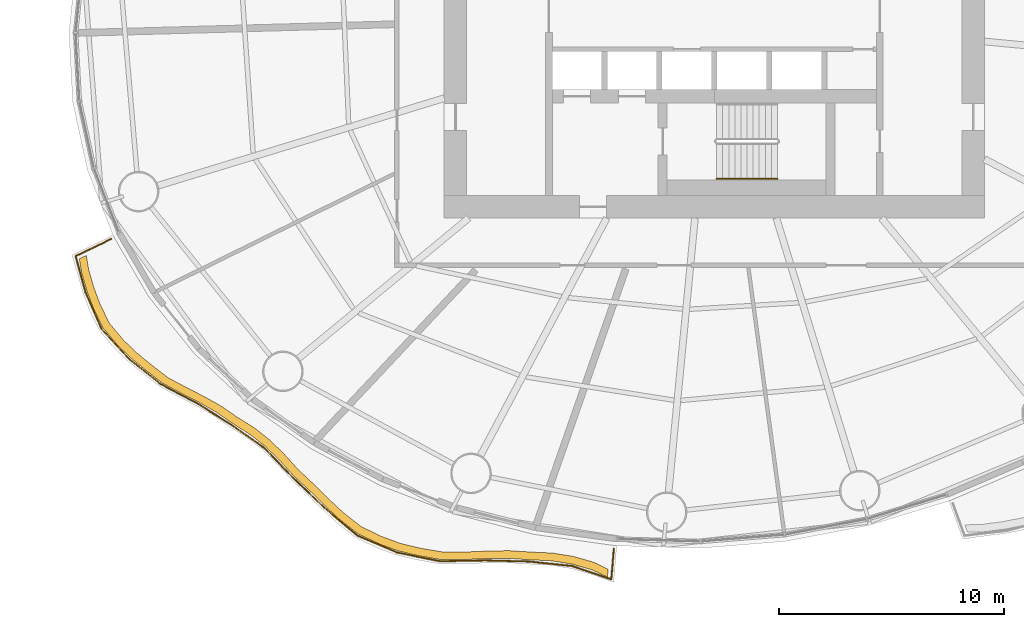
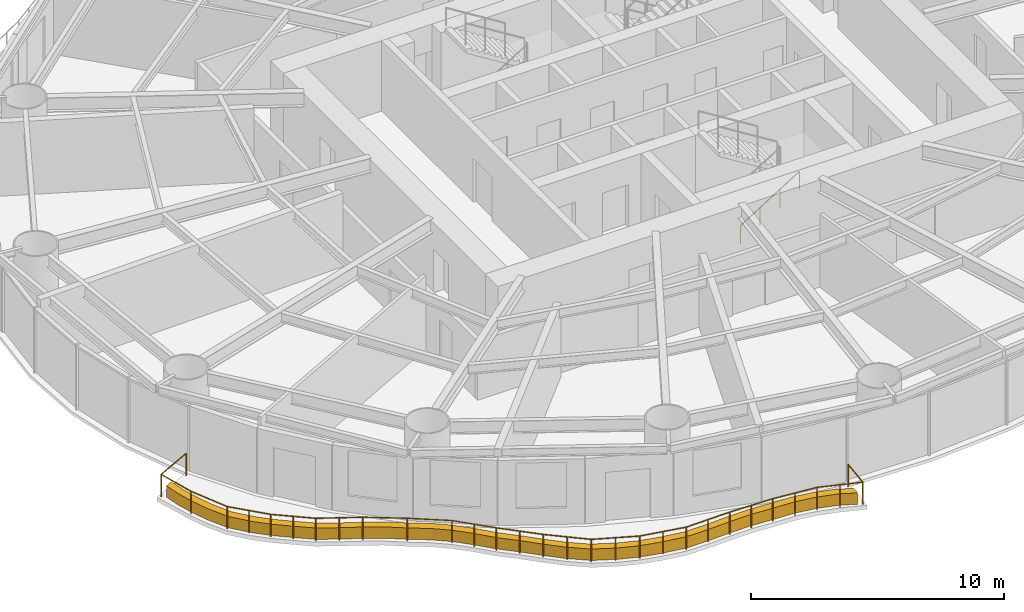
# One storey, part 12 of 16: 2 railings, 1 covering.
"""IFC4 building model written with IfcOpenShell, lengths in metres."""

from ifc_helpers import new_model, si_unit, direction, frame, origin, origin_2d, place, context, subcontext, project, spatial, polyline, circle, outline, extrude, material, type_object, element, save


model = new_model("IFC4")

# Units and contexts
model_context = context("Model", 3, precision=1e-05, world=origin(), true_north=direction((0.0, 1.0)))
body_context = subcontext(model_context, "Body", "Model", "MODEL_VIEW")
ifc_project = project(units=[si_unit("LENGTHUNIT", "METRE"), si_unit("AREAUNIT", "SQUARE_METRE"), si_unit("VOLUMEUNIT", "CUBIC_METRE"), si_unit("PLANEANGLEUNIT", "RADIAN"), si_unit("MASSUNIT", "GRAM", prefix="KILO")], contexts=[model_context])

# Site, building, storey
site_placement = place(None, origin())
site = spatial("IfcSite", under=ifc_project, at=site_placement, CompositionType="ELEMENT")
building_placement = place(site_placement, origin())
building = spatial("IfcBuilding", under=site, at=building_placement, Name="Vermilion Reach Broadcast Tower", CompositionType="ELEMENT")
storey_placement = place(building_placement, frame((0.0, 0.0, 65.60009765625)))
storey = spatial("IfcBuildingStorey", under=building, at=storey_placement, Name="L13", CompositionType="ELEMENT", Elevation=65.60009765625)

# Covering
ifc_material_1 = material(Name="Planting soil and greenery")
covering_type = type_object("IfcCoveringType", Name="Balcony PLANTER", PredefinedType="USERDEFINED", material=ifc_material_1)
covering_placement = place(storey_placement, origin())
element("IfcCovering", 1, at=covering_placement, inside=storey, type_object=covering_type, Name="PLANTER L13 group 3", ObjectType="PLANTER", PredefinedType="USERDEFINED", context=body_context, shape_type="SweptSolid", body=[
    extrude(outline(polyline([(-34.211181640625, -10.810791015625), (-34.093505859375, -11.47216796875), (-33.86572265625, -12.253662109375), (-33.587646484375, -13.005615234375), (-33.153564453125, -13.87841796875), (-32.5185546875, -14.637451171875), (-31.933349609375, -15.202392578125), (-31.293212890625, -15.723388671875), (-30.529296875, -16.3212890625), (-29.654052734375, -16.797119140625), (-28.8857421875, -17.1865234375), (-28.14501953125, -17.60546875), (-27.3955078125, -18.1240234375), (-26.613037109375, -18.61669921875), (-25.9462890625, -19.14404296875), (-25.331298828125, -19.743896484375), (-24.6826171875, -20.455322265625), (-23.95166015625, -21.13134765625), (-23.306396484375, -21.772705078125), (-22.648193359375, -22.38916015625), (-21.833740234375, -23.019287109375), (-20.898193359375, -23.47216796875), (-20.06005859375, -23.777099609375), (-19.185546875, -23.9873046875), (-18.166015625, -24.1640625), (-17.100341796875, -24.167236328125), (-16.150634765625, -24.125244140625), (-15.207763671875, -24.10986328125), (-14.21875, -24.175048828125), (-13.226806640625, -24.22265625), (-12.314208984375, -24.372314453125), (-11.41650390625, -24.62890625), (-10.75, -24.94140625), (-10.72119140625, -24.592529296875), (-11.368408203125, -24.2822265625), (-12.266357421875, -24.025634765625), (-13.178955078125, -23.8759765625), (-14.1513671875, -23.83154296875), (-15.12109375, -23.770751953125), (-16.064208984375, -23.7861328125), (-17.013916015625, -23.828125), (-18.059814453125, -23.83056640625), (-19.06005859375, -23.66064453125), (-19.9345703125, -23.450439453125), (-20.7724609375, -23.1455078125), (-21.6884765625, -22.700927734375), (-22.483642578125, -22.080322265625), (-23.14208984375, -21.4638671875), (-23.787109375, -20.822265625), (-24.49853515625, -20.157470703125), (-25.128662109375, -19.45849609375), (-25.74365234375, -18.858642578125), (-26.410400390625, -18.331298828125), (-27.174072265625, -17.85302734375), (-27.90576171875, -17.35009765625), (-28.646240234375, -16.93115234375), (-29.414794921875, -16.541748046875), (-30.2724609375, -16.08349609375), (-31.020263671875, -15.50439453125), (-31.66015625, -14.983642578125), (-32.245361328125, -14.418701171875), (-32.864990234375, -13.680419921875), (-33.28515625, -12.829833984375), (-33.563232421875, -12.07763671875), (-33.791015625, -11.296142578125), (-33.89599609375, -10.65869140625), (-34.211181640625, -10.810791015625)])), origin(), (0.0, 0.0, 1.0), 0.5498046875),
])

# Railings
ifc_material_2 = material(Name="Stainless steel 316 balustrade", Category="steel")
railing_type_1 = type_object("IfcRailingType", Name="Balcony guard 1100", PredefinedType="BALUSTRADE", material=ifc_material_2)
railing_1_placement = place(storey_placement, frame((-32.793212890625, -9.927490234375, 0.0)))
element("IfcRailing", 2, at=railing_1_placement, inside=storey, type_object=railing_type_1, Name="Balcony guard L13 group 3", PredefinedType="BALUSTRADE", context=body_context, shape_type="SweptSolid", body=[
    extrude(circle(Radius=0.02490234375, at=origin_2d()), frame((0.0, 0.0, 1.0751953125), z_axis=(-0.900681193896, -0.43448059446, 0.0), x_axis=(0.43448059446, -0.900681193896, 0.0)), (0.0, 0.0, 1.0), 1.7548828125),
    extrude(circle(Radius=0.02490234375, at=origin_2d()), frame((-1.58056640625, -0.762451171875, 1.0751953125), z_axis=(0.2638627981, -0.964560222992, 0.0), x_axis=(0.964560222992, 0.2638627981, 0.0)), (0.0, 0.0, 1.0), 1.66259765625),
    extrude(circle(Radius=0.02490234375, at=origin_2d()), frame((-1.141845703125, -2.3662109375, 1.0751953125), z_axis=(0.401833007007, -0.915712965115, 0.0), x_axis=(0.915712965115, 0.401833007007, 0.0)), (0.0, 0.0, 1.0), 1.7802734375),
    extrude(circle(Radius=0.02490234375, at=origin_2d()), frame((-0.426513671875, -3.996337890625, 1.0751953125), z_axis=(0.67752193533, -0.735502567737, 0.0), x_axis=(0.735502567737, 0.67752193533, 0.0)), (0.0, 0.0, 1.0), 1.806396484375),
    extrude(circle(Radius=0.02490234375, at=origin_2d()), frame((0.79736328125, -5.324951171875, 1.0751953125), z_axis=(0.781714597843, -0.623636342365, 0.0), x_axis=(0.623636342365, 0.781714597843, 0.0)), (0.0, 0.0, 1.0), 1.80078125),
    extrude(circle(Radius=0.02490234375, at=origin_2d()), frame((2.205078125, -6.447998046875, 1.0751953125), z_axis=(0.884437340092, -0.466658966968, 0.0), x_axis=(0.466658966968, 0.884437340092, 0.0)), (0.0, 0.0, 1.0), 1.863037109375),
    extrude(circle(Radius=0.02490234375, at=origin_2d()), frame((3.852783203125, -7.3173828125, 1.0751953125), z_axis=(0.846168195032, -0.532915927438, 0.0), x_axis=(0.532915927438, 0.846168195032, 0.0)), (0.0, 0.0, 1.0), 1.76611328125),
    extrude(circle(Radius=0.02490234375, at=origin_2d()), frame((5.34716796875, -8.258544921875, 1.0751953125), z_axis=(0.817686686722, -0.575663514875, 0.0), x_axis=(0.575663514875, 0.817686686722, 0.0)), (0.0, 0.0, 1.0), 1.77734375),
    extrude(circle(Radius=0.02490234375, at=origin_2d()), frame((6.800537109375, -9.28173828125, 1.0751953125), z_axis=(0.694427475309, -0.719562701601, 0.0), x_axis=(0.719562701601, 0.694427475309, 0.0)), (0.0, 0.0, 1.0), 1.826171875),
    extrude(circle(Radius=0.02490234375, at=origin_2d()), frame((8.068603515625, -10.595703125, 1.0751953125), z_axis=(0.722714017185, -0.691147198044, 0.0), x_axis=(0.691147198044, 0.722714017185, 0.0)), (0.0, 0.0, 1.0), 1.910400390625),
    extrude(circle(Radius=0.02490234375, at=origin_2d()), frame((9.44921875, -11.916015625, 1.0751953125), z_axis=(0.763711783381, -0.645557365324, 0.0), x_axis=(0.645557365324, 0.763711783381, 0.0)), (0.0, 0.0, 1.0), 1.93408203125),
    extrude(circle(Radius=0.02490234375, at=origin_2d()), frame((10.92626953125, -13.16455078125, 1.0751953125), z_axis=(0.919568999182, -0.392928563155, 0.0), x_axis=(0.392928563155, 0.919568999182, 0.0)), (0.0, 0.0, 1.0), 1.93359375),
    extrude(circle(Radius=0.02490234375, at=origin_2d()), frame((12.704345703125, -13.92431640625, 1.0751953125), z_axis=(0.979703687148, -0.200451204508, 0.0), x_axis=(0.200451204508, 0.979703687148, 0.0)), (0.0, 0.0, 1.0), 1.937744140625),
    extrude(circle(Radius=0.02490234375, at=origin_2d()), frame((14.602783203125, -14.312744140625, 1.0751953125), z_axis=(0.999829073078, 0.018488499901, 0.0), x_axis=(-0.018488499901, 0.999829073078, 0.0)), (0.0, 0.0, 1.0), 2.020263671875),
    extrude(circle(Radius=0.02490234375, at=origin_2d()), frame((16.622802734375, -14.275390625, 1.0751953125), z_axis=(0.99965956596, -0.026091228112, 0.0), x_axis=(0.026091228112, 0.99965956596, 0.0)), (0.0, 0.0, 1.0), 1.93701171875),
    extrude(circle(Radius=0.02490234375, at=origin_2d()), frame((18.55908203125, -14.325927734375, 1.0751953125), z_axis=(0.994650858729, -0.103294090969, 0.0), x_axis=(0.103294090969, 0.994650858729, 0.0)), (0.0, 0.0, 1.0), 1.919189453125),
    extrude(circle(Radius=0.02490234375, at=origin_2d()), frame((20.468017578125, -14.524169921875, 1.0751953125), z_axis=(0.94676064591, -0.321938316073, 0.0), x_axis=(0.321938316073, 0.94676064591, 0.0)), (0.0, 0.0, 1.0), 1.844970703125),
    extrude(circle(Radius=0.02490234375, at=origin_2d()), frame((22.21484375, -15.1181640625, 1.0751953125), z_axis=(0.082391823901, 0.996600013724, 0.0), x_axis=(-0.996600013724, 0.082391823901, 0.0)), (0.0, 0.0, 1.0), 1.360107421875),
    extrude(circle(Radius=0.02490234375, at=origin_2d()), origin(), (0.0, 0.0, 1.0), 1.050048828125),
    extrude(circle(Radius=0.02490234375, at=origin_2d()), frame((-1.58056640625, -0.762451171875, 0.0)), (0.0, 0.0, 1.0), 1.050048828125),
    extrude(circle(Radius=0.02490234375, at=origin_2d()), frame((-1.141845703125, -2.3662109375, 0.0)), (0.0, 0.0, 1.0), 1.050048828125),
    extrude(circle(Radius=0.02490234375, at=origin_2d()), frame((-0.426513671875, -3.996337890625, 0.0)), (0.0, 0.0, 1.0), 1.050048828125),
    extrude(circle(Radius=0.02490234375, at=origin_2d()), frame((0.185546875, -4.66064453125, 0.0)), (0.0, 0.0, 1.0), 1.050048828125),
    extrude(circle(Radius=0.02490234375, at=origin_2d()), frame((0.79736328125, -5.324951171875, 0.0)), (0.0, 0.0, 1.0), 1.050048828125),
    extrude(circle(Radius=0.02490234375, at=origin_2d()), frame((1.501220703125, -5.886474609375, 0.0)), (0.0, 0.0, 1.0), 1.050048828125),
    extrude(circle(Radius=0.02490234375, at=origin_2d()), frame((2.205078125, -6.447998046875, 0.0)), (0.0, 0.0, 1.0), 1.050048828125),
    extrude(circle(Radius=0.02490234375, at=origin_2d()), frame((3.02880859375, -6.8828125, 0.0)), (0.0, 0.0, 1.0), 1.050048828125),
    extrude(circle(Radius=0.02490234375, at=origin_2d()), frame((3.852783203125, -7.3173828125, 0.0)), (0.0, 0.0, 1.0), 1.050048828125),
    extrude(circle(Radius=0.02490234375, at=origin_2d()), frame((5.34716796875, -8.258544921875, 0.0)), (0.0, 0.0, 1.0), 1.050048828125),
    extrude(circle(Radius=0.02490234375, at=origin_2d()), frame((6.800537109375, -9.28173828125, 0.0)), (0.0, 0.0, 1.0), 1.050048828125),
    extrude(circle(Radius=0.02490234375, at=origin_2d()), frame((7.4345703125, -9.938720703125, 0.0)), (0.0, 0.0, 1.0), 1.050048828125),
    extrude(circle(Radius=0.02490234375, at=origin_2d()), frame((8.068603515625, -10.595703125, 0.0)), (0.0, 0.0, 1.0), 1.050048828125),
    extrude(circle(Radius=0.02490234375, at=origin_2d()), frame((8.7587890625, -11.255859375, 0.0)), (0.0, 0.0, 1.0), 1.050048828125),
    extrude(circle(Radius=0.02490234375, at=origin_2d()), frame((9.44921875, -11.916015625, 0.0)), (0.0, 0.0, 1.0), 1.050048828125),
    extrude(circle(Radius=0.02490234375, at=origin_2d()), frame((10.187744140625, -12.540283203125, 0.0)), (0.0, 0.0, 1.0), 1.050048828125),
    extrude(circle(Radius=0.02490234375, at=origin_2d()), frame((10.92626953125, -13.16455078125, 0.0)), (0.0, 0.0, 1.0), 1.050048828125),
    extrude(circle(Radius=0.02490234375, at=origin_2d()), frame((11.8154296875, -13.54443359375, 0.0)), (0.0, 0.0, 1.0), 1.050048828125),
    extrude(circle(Radius=0.02490234375, at=origin_2d()), frame((12.704345703125, -13.92431640625, 0.0)), (0.0, 0.0, 1.0), 1.050048828125),
    extrude(circle(Radius=0.02490234375, at=origin_2d()), frame((13.653564453125, -14.11865234375, 0.0)), (0.0, 0.0, 1.0), 1.050048828125),
    extrude(circle(Radius=0.02490234375, at=origin_2d()), frame((14.602783203125, -14.312744140625, 0.0)), (0.0, 0.0, 1.0), 1.050048828125),
    extrude(circle(Radius=0.02490234375, at=origin_2d()), frame((15.61279296875, -14.2939453125, 0.0)), (0.0, 0.0, 1.0), 1.050048828125),
    extrude(circle(Radius=0.02490234375, at=origin_2d()), frame((16.622802734375, -14.275390625, 0.0)), (0.0, 0.0, 1.0), 1.050048828125),
    extrude(circle(Radius=0.02490234375, at=origin_2d()), frame((17.5908203125, -14.30078125, 0.0)), (0.0, 0.0, 1.0), 1.050048828125),
    extrude(circle(Radius=0.02490234375, at=origin_2d()), frame((18.55908203125, -14.325927734375, 0.0)), (0.0, 0.0, 1.0), 1.050048828125),
    extrude(circle(Radius=0.02490234375, at=origin_2d()), frame((19.513671875, -14.425048828125, 0.0)), (0.0, 0.0, 1.0), 1.050048828125),
    extrude(circle(Radius=0.02490234375, at=origin_2d()), frame((20.468017578125, -14.524169921875, 0.0)), (0.0, 0.0, 1.0), 1.050048828125),
    extrude(circle(Radius=0.02490234375, at=origin_2d()), frame((21.34130859375, -14.8212890625, 0.0)), (0.0, 0.0, 1.0), 1.050048828125),
    extrude(circle(Radius=0.02490234375, at=origin_2d()), frame((22.21484375, -15.1181640625, 0.0)), (0.0, 0.0, 1.0), 1.050048828125),
    extrude(circle(Radius=0.02490234375, at=origin_2d()), frame((22.326904296875, -13.7626953125, 0.0)), (0.0, 0.0, 1.0), 1.050048828125),
])
ifc_material_3 = material(Name="Stainless steel", Category="steel")
railing_type_2 = type_object("IfcRailingType", Name="Stair handrail", PredefinedType="HANDRAIL", material=ifc_material_3)
railing_2_placement = place(storey_placement, frame((-5.89990234375, -7.25, 0.16796875)))
element("IfcRailing", 3, at=railing_2_placement, inside=storey, type_object=railing_type_2, Name="L13 ST3 stair handrail 1", PredefinedType="HANDRAIL", context=body_context, shape_type="SweptSolid", body=[
    extrude(circle(Radius=0.02392578125, at=origin_2d()), frame((0.0, 0.0, 0.8759765625), z_axis=(0.848786430784, 0.0, 0.528735846068), x_axis=(0.0, 1.0, 0.0)), (0.0, 0.0, 1.0), 3.180908203125),
    extrude(circle(Radius=0.02099609375, at=origin_2d()), origin(), (0.0, 0.0, 1.0), 0.851806640625),
    extrude(circle(Radius=0.02099609375, at=origin_2d()), frame((0.89990234375, 0.0, 0.560546875)), (0.0, 0.0, 1.0), 0.851806640625),
    extrude(circle(Radius=0.02099609375, at=origin_2d()), frame((1.800048828125, 0.0, 1.121337890625)), (0.0, 0.0, 1.0), 0.851806640625),
    extrude(circle(Radius=0.02099609375, at=origin_2d()), frame((2.699951171875, 0.0, 1.681884765625)), (0.0, 0.0, 1.0), 0.851806640625),
])

save(model, "model.ifc")
